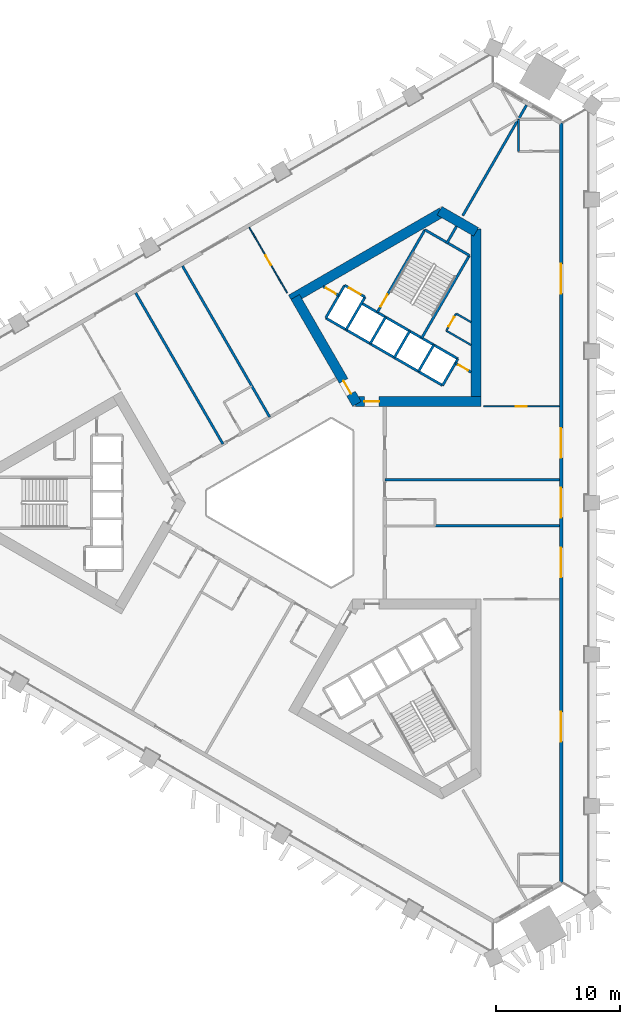
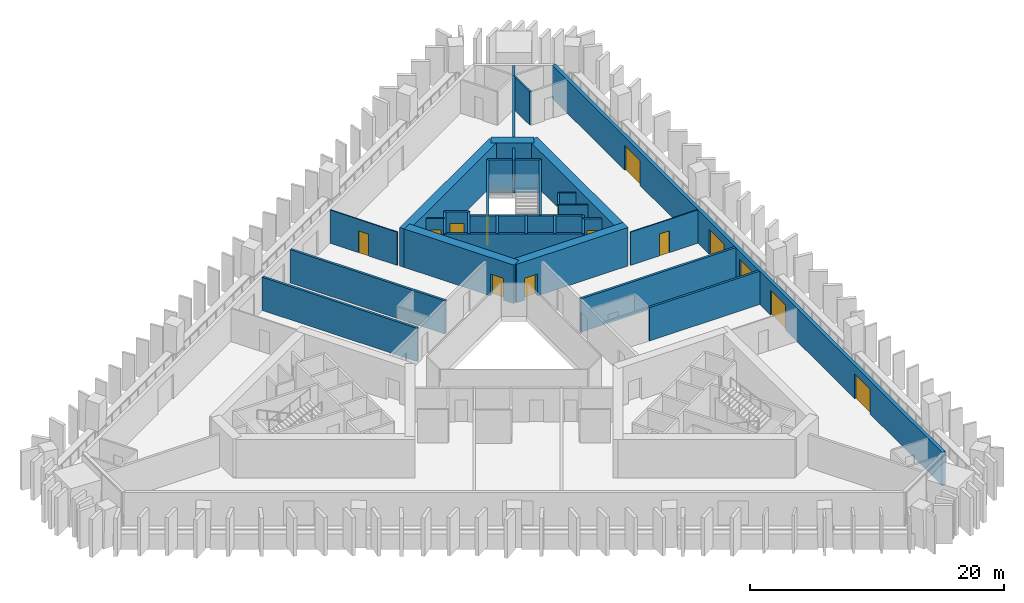
# One storey, part 5 of 10: 32 walls, 14 doors, 14 openings.
"""IFC4 building model written with IfcOpenShell, lengths in metres."""

from ifc_helpers import new_model, si_unit, direction, frame, frame_2d, origin, place, context, subcontext, project, spatial, rectangle, extrude, material, layer, layer_set, type_object, element, fill, save


model = new_model("IFC4")

# Units and contexts
model_context = context("Model", 3, precision=1e-05, world=origin(), true_north=direction((0.0, 1.0)))
body_context = subcontext(model_context, "Body", "Model", "MODEL_VIEW")
ifc_project = project(units=[si_unit("LENGTHUNIT", "METRE"), si_unit("AREAUNIT", "SQUARE_METRE"), si_unit("VOLUMEUNIT", "CUBIC_METRE"), si_unit("PLANEANGLEUNIT", "RADIAN"), si_unit("MASSUNIT", "GRAM", prefix="KILO")], contexts=[model_context])

# Site, building, storey
site_placement = place(None, origin())
site = spatial("IfcSite", under=ifc_project, at=site_placement, CompositionType="ELEMENT")
building_placement = place(site_placement, origin())
building = spatial("IfcBuilding", under=site, at=building_placement, Name="Jabali Bay Hotel Tower and Convention Centre", CompositionType="ELEMENT")
storey_placement = place(building_placement, frame((0.0, 0.0, 37.39990234375)))
storey = spatial("IfcBuildingStorey", under=building, at=storey_placement, Name="L07", CompositionType="ELEMENT", Elevation=37.39990234375)

# Wall
ifc_material_1 = material(Name="Concrete C40", Category="concrete")
ifc_layer_1 = layer(ifc_material_1, 0.199951171875)
ifc_layer_set_1 = layer_set([ifc_layer_1], Name="Concrete C40")
wall_type_1 = type_object("IfcWallType", Name="Core partition wall 200", PredefinedType="PARTITIONING", material=ifc_layer_set_1)
wall_1_placement = place(storey_placement, frame((87.090087890625, 100.9404296875, 0.0), z_axis=(0.0, 0.0, 1.0), x_axis=(0.499956811548, 0.866050337213, 0.0)))
element("IfcWall", 1, at=wall_1_placement, inside=storey, type_object=wall_type_1, Name="Core wall 1.5 L07", PredefinedType="PARTITIONING", context=body_context, shape_type="SweptSolid", body=[
    extrude(rectangle(XDim=1.623291015625, YDim=0.199951171875, at=frame_2d((0.8115234375, 0.0))), origin(), (0.0, 0.0, 1.0), 3.2001953125),
])

# Wall, opening, door
wall_2_placement = place(storey_placement, frame((89.080078125, 90.553955078125, 0.0), z_axis=(0.0, 0.0, 1.0), x_axis=(-0.866022048785, 0.500005810984, 0.0)))
wall_2 = element("IfcWall", 2, at=wall_2_placement, inside=storey, type_object=wall_type_1, Name="Core wall 1.11 L07", PredefinedType="PARTITIONING", context=body_context, shape_type="SweptSolid", body=[
    extrude(rectangle(XDim=1.466796875, YDim=0.199951171875, at=frame_2d((0.7333984375, 0.0))), origin(), (0.0, 0.0, 1.0), 3.2001953125),
])
opening_1_placement = place(wall_2_placement, frame((0.283447265625, 0.0, 0.0)))
opening_1 = element("IfcOpeningElement", 3, at=opening_1_placement, cuts=wall_2, Name="Opening D243", PredefinedType="OPENING", context=body_context, shape_type="SweptSolid", body=[
    extrude(rectangle(XDim=0.89990234375, YDim=2.10009765625, at=frame_2d((0.449951171875, 1.050048828125))), frame((0.0, 0.1103515625, 0.0), z_axis=(0.0, -1.0, 0.0), x_axis=(1.0, 0.0, 0.0)), (0.0, 0.0, 1.0), 0.220947265625),
])
ifc_material_2 = material(Name="Fire-rated steel door", Category="steel")
door_type_1 = type_object("IfcDoorType", Name="Vestibule fire door 900 x 2100", OperationType="NOTDEFINED", PredefinedType="NOTDEFINED", material=ifc_material_2)
door_1_placement = place(opening_1_placement, origin())
door_1 = element("IfcDoor", 4, at=door_1_placement, inside=storey, type_object=door_type_1, Name="Vestibule fire door D243", OperationType="SINGLE_SWING_LEFT", OverallHeight=2.10009765625, OverallWidth=0.89990234375, PredefinedType="NOTDEFINED", context=body_context, shape_type="SweptSolid", body=[
    extrude(rectangle(XDim=0.89990234375, YDim=2.10009765625, at=frame_2d((0.449951171875, 1.050048828125))), frame((0.0, 0.02490234375, 0.0), z_axis=(0.0, -1.0, 0.0), x_axis=(1.0, 0.0, 0.0)), (0.0, 0.0, 1.0), 0.050048828125),
])
fill(opening_1, door_1)

wall_3_placement = place(storey_placement, frame((78.380126953125, 96.754638671875, 0.0), z_axis=(0.0, 0.0, 1.0), x_axis=(-0.866003949776, 0.500037157592, 0.0)))
wall_3 = element("IfcWall", 5, at=wall_3_placement, inside=storey, type_object=wall_type_1, Name="Core wall 1.12 L07", PredefinedType="PARTITIONING", context=body_context, shape_type="SweptSolid", body=[
    extrude(rectangle(XDim=1.455078125, YDim=0.199951171875, at=frame_2d((0.7275390625, 0.0))), origin(), (0.0, 0.0, 1.0), 3.2001953125),
])
opening_2_placement = place(wall_3_placement, frame((0.277587890625, 0.0, 0.0)))
opening_2 = element("IfcOpeningElement", 6, at=opening_2_placement, cuts=wall_3, Name="Opening D242", PredefinedType="OPENING", context=body_context, shape_type="SweptSolid", body=[
    extrude(rectangle(XDim=0.89990234375, YDim=2.10009765625, at=frame_2d((0.449951171875, 1.050048828125))), frame((0.0, 0.1103515625, 0.0), z_axis=(0.0, -1.0, 0.0), x_axis=(1.0, 0.0, 0.0)), (0.0, 0.0, 1.0), 0.220947265625),
])
door_2_placement = place(opening_2_placement, origin())
door_2 = element("IfcDoor", 7, at=door_2_placement, inside=storey, type_object=door_type_1, Name="Vestibule fire door D242", OperationType="SINGLE_SWING_LEFT", OverallHeight=2.10009765625, OverallWidth=0.89990234375, PredefinedType="NOTDEFINED", context=body_context, shape_type="SweptSolid", body=[
    extrude(rectangle(XDim=0.89990234375, YDim=2.10009765625, at=frame_2d((0.449951171875, 1.050048828125))), frame((0.0, 0.02490234375, 0.0), z_axis=(0.0, -1.0, 0.0), x_axis=(1.0, 0.0, 0.0)), (0.0, 0.0, 1.0), 0.050048828125),
])
fill(opening_2, door_2)

ifc_material_3 = material(Name="Fire-rated board partition")
ifc_layer_2 = layer(ifc_material_3, 0.14990234375)
ifc_layer_set_2 = layer_set([ifc_layer_2], Name="Fire-rated board partition")
wall_type_2 = type_object("IfcWallType", Name="Core room partition 150", PredefinedType="PARTITIONING", material=ifc_layer_set_2)
wall_4_placement = place(storey_placement, frame((87.071044921875, 93.90771484375, 0.0), z_axis=(0.0, 0.0, 1.0), x_axis=(0.499995408039, 0.866028054938, 0.0)))
wall_4 = element("IfcWall", 8, at=wall_4_placement, inside=storey, type_object=wall_type_2, Name="Core wall 1.1 L07", PredefinedType="PARTITIONING", context=body_context, shape_type="SweptSolid", body=[
    extrude(rectangle(XDim=1.60009765625, YDim=0.14990234375, at=frame_2d((0.800048828125, 0.0))), origin(), (0.0, 0.0, 1.0), 3.2001953125),
])
opening_3_placement = place(wall_4_placement, frame((0.387451171875, 0.0, 0.0)))
opening_3 = element("IfcOpeningElement", 9, at=opening_3_placement, cuts=wall_4, Name="Opening D245", PredefinedType="OPENING", context=body_context, shape_type="SweptSolid", body=[
    extrude(rectangle(XDim=0.89990234375, YDim=2.10009765625, at=frame_2d((0.449951171875, 1.050048828125))), frame((0.0, 0.08544921875, 0.0), z_axis=(0.0, -1.0, 0.0), x_axis=(1.0, 0.0, 0.0)), (0.0, 0.0, 1.0), 0.1708984375),
])
door_type_2 = type_object("IfcDoorType", Name="Core room door 900 x 2100", OperationType="NOTDEFINED", PredefinedType="NOTDEFINED", material=ifc_material_2)
door_3_placement = place(opening_3_placement, origin())
door_3 = element("IfcDoor", 10, at=door_3_placement, inside=storey, type_object=door_type_2, Name="Core room door D245", OperationType="SINGLE_SWING_LEFT", OverallHeight=2.10009765625, OverallWidth=0.89990234375, PredefinedType="NOTDEFINED", context=body_context, shape_type="SweptSolid", body=[
    extrude(rectangle(XDim=0.89990234375, YDim=2.10009765625, at=frame_2d((0.449951171875, 1.050048828125))), frame((0.0, 0.02490234375, 0.0), z_axis=(0.0, -1.0, 0.0), x_axis=(1.0, 0.0, 0.0)), (0.0, 0.0, 1.0), 0.050048828125),
])
fill(opening_3, door_3)

# Walls
wall_5_placement = place(storey_placement, frame((89.080078125, 92.747802734375, 0.0), z_axis=(0.0, 0.0, 1.0), x_axis=(-0.866026103983, 0.499998787219, 0.0)))
element("IfcWall", 11, at=wall_5_placement, inside=storey, type_object=wall_type_2, Name="Core wall 1.15 L07", PredefinedType="PARTITIONING", context=body_context, shape_type="SweptSolid", body=[
    extrude(rectangle(XDim=2.31982421875, YDim=0.14990234375, at=frame_2d((1.159912109375, 0.0))), origin(), (0.0, 0.0, 1.0), 3.2001953125),
])
wall_6_placement = place(storey_placement, frame((89.080078125, 94.595458984375, 0.0), z_axis=(0.0, 0.0, 1.0), x_axis=(-0.866028321769, 0.499994945868, 0.0)))
element("IfcWall", 12, at=wall_6_placement, inside=storey, type_object=wall_type_2, Name="Core wall 1.16 L07", PredefinedType="PARTITIONING", context=body_context, shape_type="SweptSolid", body=[
    extrude(rectangle(XDim=1.39599609375, YDim=0.14990234375, at=frame_2d((0.697998046875, 0.0))), origin(), (0.0, 0.0, 1.0), 3.2001953125),
])
ifc_layer_3 = layer(ifc_material_1, 0.199951171875)
ifc_layer_set_3 = layer_set([ifc_layer_3], Name="Concrete C40")
wall_type_3 = type_object("IfcWallType", Name="Core stair wall 200", PredefinedType="SOLIDWALL", material=ifc_layer_set_3)
for number, where, z_axis, x_axis, name in (
    (13, (86.769775390625, 89.48583984375, 0.0), (0.0, 0.0, 1.0), (0.499961042966, 0.86604789447, 0.0), "Core wall 1.0 L07"),
    (14, (84.8212890625, 90.61083984375, 0.0), (0.0, 0.0, 1.0), (0.499961042966, 0.86604789447, 0.0), "Core wall 1.2 L07"),
):
    element("IfcWall", number, at=place(storey_placement, frame(where, z_axis=z_axis, x_axis=x_axis)), inside=storey, type_object=wall_type_3, Name=name, PredefinedType="SOLIDWALL", context=body_context, shape_type="SweptSolid", body=[
        extrude(rectangle(XDim=2.480224609375, YDim=0.199951171875, at=frame_2d((1.240234375, 0.0))), origin(), (0.0, 0.0, 1.0), 3.2001953125),
    ])
wall_7_placement = place(storey_placement, frame((85.0869140625, 93.3212890625, 0.0), z_axis=(0.0, 0.0, 1.0), x_axis=(0.500019787375, 0.866013979237, 0.0)))
element("IfcWall", 15, at=wall_7_placement, inside=storey, type_object=wall_type_3, Name="Core wall 1.3 L07", PredefinedType="SOLIDWALL", context=body_context, shape_type="SweptSolid", body=[
    extrude(rectangle(XDim=7.699951171875, YDim=0.199951171875, at=frame_2d((3.85009765625, 0.0))), origin(), (0.0, 0.0, 1.0), 3.2001953125),
])
for number, where, z_axis, x_axis, name in (
    (16, (82.872802734375, 91.73583984375, 0.0), (0.0, 0.0, 1.0), (0.499961042966, 0.86604789447, 0.0), "Core wall 1.4 L07"),
    (17, (80.924072265625, 92.86083984375, 0.0), (0.0, 0.0, 1.0), (0.499961042966, 0.86604789447, 0.0), "Core wall 1.6 L07"),
):
    element("IfcWall", number, at=place(storey_placement, frame(where, z_axis=z_axis, x_axis=x_axis)), inside=storey, type_object=wall_type_3, Name=name, PredefinedType="SOLIDWALL", context=body_context, shape_type="SweptSolid", body=[
        extrude(rectangle(XDim=2.480224609375, YDim=0.199951171875, at=frame_2d((1.240234375, 0.0))), origin(), (0.0, 0.0, 1.0), 3.2001953125),
    ])

# Wall, opening, door
wall_8_placement = place(storey_placement, frame((81.492919921875, 95.396240234375, 0.0), z_axis=(0.0, 0.0, 1.0), x_axis=(0.500006057782, 0.866021906294, 0.0)))
wall_8 = element("IfcWall", 18, at=wall_8_placement, inside=storey, type_object=wall_type_3, Name="Core wall 1.7 L07", PredefinedType="SOLIDWALL", context=body_context, shape_type="SweptSolid", body=[
    extrude(rectangle(XDim=7.7001953125, YDim=0.199951171875, at=frame_2d((3.85009765625, 0.0))), origin(), (0.0, 0.0, 1.0), 3.2001953125),
])
opening_4_placement = place(wall_8_placement, frame((0.550048828125, 0.0, 0.0)))
opening_4 = element("IfcOpeningElement", 19, at=opening_4_placement, cuts=wall_8, Name="Opening D244", PredefinedType="OPENING", context=body_context, shape_type="SweptSolid", body=[
    extrude(rectangle(XDim=1.10009765625, YDim=2.10009765625, at=frame_2d((0.550048828125, 1.050048828125))), frame((0.0, 0.1103515625, 0.0), z_axis=(0.0, -1.0, 0.0), x_axis=(1.0, 0.0, 0.0)), (0.0, 0.0, 1.0), 0.220947265625),
])
door_type_3 = type_object("IfcDoorType", Name="Stair fire door 1100 x 2100", OperationType="NOTDEFINED", PredefinedType="NOTDEFINED", material=ifc_material_2)
door_4_placement = place(opening_4_placement, origin())
door_4 = element("IfcDoor", 20, at=door_4_placement, inside=storey, type_object=door_type_3, Name="Stair fire door D244", OperationType="SINGLE_SWING_RIGHT", OverallHeight=2.10009765625, OverallWidth=1.10009765625, PredefinedType="NOTDEFINED", context=body_context, shape_type="SweptSolid", body=[
    extrude(rectangle(XDim=1.10009765625, YDim=2.10009765625, at=frame_2d((0.550048828125, 1.050048828125))), frame((0.0, 0.02490234375, 0.0), z_axis=(0.0, -1.0, 0.0), x_axis=(1.0, 0.0, 0.0)), (0.0, 0.0, 1.0), 0.050048828125),
])
fill(opening_4, door_4)

# Walls
for number, where, z_axis, x_axis, name in (
    (21, (78.9755859375, 93.98583984375, 0.0), (0.0, 0.0, 1.0), (0.499944174705, 0.866057632134, 0.0), "Core wall 1.8 L07"),
    (22, (77.330078125, 94.93603515625, 0.0), (0.0, 0.0, 1.0), (0.500038867431, 0.8660029625, 0.0), "Core wall 1.9 L07"),
):
    element("IfcWall", number, at=place(storey_placement, frame(where, z_axis=z_axis, x_axis=x_axis)), inside=storey, type_object=wall_type_3, Name=name, PredefinedType="SOLIDWALL", context=body_context, shape_type="SweptSolid", body=[
        extrude(rectangle(XDim=3.050048828125, YDim=0.199951171875, at=frame_2d((1.52490234375, 0.0))), origin(), (0.0, 0.0, 1.0), 3.2001953125),
    ])
wall_9_placement = place(storey_placement, frame((86.769775390625, 89.48583984375, 0.0), z_axis=(0.0, 0.0, 1.0), x_axis=(-0.86601811187, 0.500012629753, 0.0)))
element("IfcWall", 23, at=wall_9_placement, inside=storey, type_object=wall_type_3, Name="Core wall 1.10 L07", PredefinedType="SOLIDWALL", context=body_context, shape_type="SweptSolid", body=[
    extrude(rectangle(XDim=10.900146484375, YDim=0.199951171875, at=frame_2d((5.4501953125, 0.0))), origin(), (0.0, 0.0, 1.0), 3.2001953125),
])
wall_10_placement = place(storey_placement, frame((88.009765625, 91.6337890625, 0.0), z_axis=(0.0, 0.0, 1.0), x_axis=(-0.866024315419, 0.5000018851, 0.0)))
element("IfcWall", 24, at=wall_10_placement, inside=storey, type_object=wall_type_3, Name="Core wall 1.13 L07", PredefinedType="SOLIDWALL", context=body_context, shape_type="SweptSolid", body=[
    extrude(rectangle(XDim=9.0, YDim=0.199951171875, at=frame_2d((4.5, 0.0))), origin(), (0.0, 0.0, 1.0), 3.2001953125),
])

# Wall, opening, door
wall_11_placement = place(storey_placement, frame((80.50048828125, 96.62744140625, 0.0), z_axis=(0.0, 0.0, 1.0), x_axis=(-0.86601224135, 0.500022797313, 0.0)))
wall_11 = element("IfcWall", 25, at=wall_11_placement, inside=storey, type_object=wall_type_3, Name="Core wall 1.14 L07", PredefinedType="SOLIDWALL", context=body_context, shape_type="SweptSolid", body=[
    extrude(rectangle(XDim=1.89990234375, YDim=0.199951171875, at=frame_2d((0.949951171875, 0.0))), origin(), (0.0, 0.0, 1.0), 3.2001953125),
])
opening_5_placement = place(wall_11_placement, frame((0.39990234375, 0.0, 0.0)))
opening_5 = element("IfcOpeningElement", 26, at=opening_5_placement, cuts=wall_11, Name="Opening LD10-L07", PredefinedType="OPENING", context=body_context, shape_type="SweptSolid", body=[
    extrude(rectangle(XDim=1.10009765625, YDim=2.10009765625, at=frame_2d((0.550048828125, 1.050048828125))), frame((0.0, 0.1103515625, 0.0), z_axis=(0.0, -1.0, 0.0), x_axis=(1.0, 0.0, 0.0)), (0.0, 0.0, 1.0), 0.220947265625),
])
ifc_material_4 = material(Name="Stainless steel landing door", Category="steel")
door_type_4 = type_object("IfcDoorType", Name="Landing door 1100 x 2100", OperationType="NOTDEFINED", PredefinedType="NOTDEFINED", material=ifc_material_4)
door_5_placement = place(opening_5_placement, origin())
door_5 = element("IfcDoor", 27, at=door_5_placement, inside=storey, type_object=door_type_4, Name="Landing doors LD10-L07", OperationType="SLIDING_TO_RIGHT", OverallHeight=2.10009765625, OverallWidth=1.10009765625, PredefinedType="NOTDEFINED", context=body_context, shape_type="SweptSolid", body=[
    extrude(rectangle(XDim=1.10009765625, YDim=2.10009765625, at=frame_2d((0.550048828125, 1.050048828125))), frame((0.0, 0.02490234375, 0.0), z_axis=(0.0, -1.0, 0.0), x_axis=(1.0, 0.0, 0.0)), (0.0, 0.0, 1.0), 0.050048828125),
])
fill(opening_5, door_5)

# Wall
wall_12_placement = place(storey_placement, frame((88.93701171875, 99.989501953125, 0.0), z_axis=(0.0, 0.0, 1.0), x_axis=(-0.866004344652, 0.500036473714, 0.0)))
element("IfcWall", 28, at=wall_12_placement, inside=storey, type_object=wall_type_3, Name="Core wall 1.17 L07", PredefinedType="SOLIDWALL", context=body_context, shape_type="SweptSolid", body=[
    extrude(rectangle(XDim=4.150146484375, YDim=0.199951171875, at=frame_2d((2.0751953125, 0.0))), origin(), (0.0, 0.0, 1.0), 3.2001953125),
])

# Wall, opening, door
ifc_material_5 = material(Name="Concrete C60", Category="concrete")
ifc_layer_4 = layer(ifc_material_5, 0.800048828125)
ifc_layer_set_4 = layer_set([ifc_layer_4], Name="Concrete C60")
wall_type_4 = type_object("IfcWallType", Name="Core wall 800", PredefinedType="SHEAR", material=ifc_layer_set_4)
wall_13_placement = place(storey_placement, frame((79.73095703125, 88.1943359375, 0.0), z_axis=(0.0, 0.0, 1.0), x_axis=(1.0, 0.0, 0.0)))
wall_13 = element("IfcWall", 29, at=wall_13_placement, inside=storey, type_object=wall_type_4, Name="Core wall 2.1 L07", PredefinedType="SHEAR", context=body_context, shape_type="SweptSolid", body=[
    extrude(rectangle(XDim=10.14892578125, YDim=0.800048828125, at=frame_2d((5.074462890625, 0.0))), origin(), (0.0, 0.0, 1.0), 3.7001953125),
])
opening_6_placement = place(wall_13_placement, frame((0.718994140625, 0.0, 0.0)))
opening_6 = element("IfcOpeningElement", 30, at=opening_6_placement, cuts=wall_13, Name="Opening D240", PredefinedType="OPENING", context=body_context, shape_type="SweptSolid", body=[
    extrude(rectangle(XDim=1.199951171875, YDim=2.10009765625, at=frame_2d((0.60009765625, 1.050048828125))), frame((0.0, 0.41064453125, 0.0), z_axis=(0.0, -1.0, 0.0), x_axis=(1.0, 0.0, 0.0)), (0.0, 0.0, 1.0), 0.821044921875),
])
door_type_5 = type_object("IfcDoorType", Name="Corridor end fire door 1200 x 2100", OperationType="NOTDEFINED", PredefinedType="NOTDEFINED", material=ifc_material_2)
door_6_placement = place(opening_6_placement, origin())
door_6 = element("IfcDoor", 31, at=door_6_placement, inside=storey, type_object=door_type_5, Name="Corridor end fire door D240", OperationType="SINGLE_SWING_RIGHT", OverallHeight=2.10009765625, OverallWidth=1.199951171875, PredefinedType="NOTDEFINED", context=body_context, shape_type="SweptSolid", body=[
    extrude(rectangle(XDim=1.199951171875, YDim=2.10009765625, at=frame_2d((0.60009765625, 1.050048828125))), frame((0.0, 0.02490234375, 0.0), z_axis=(0.0, -1.0, 0.0), x_axis=(1.0, 0.0, 0.0)), (0.0, 0.0, 1.0), 0.050048828125),
])
fill(opening_6, door_6)

# Walls
wall_14_placement = place(storey_placement, frame((89.47998046875, 88.1943359375, 0.0), z_axis=(0.0, 0.0, 1.0), x_axis=(0.0, 1.0, 0.0)))
element("IfcWall", 32, at=wall_14_placement, inside=storey, type_object=wall_type_4, Name="Core wall 2.2 L07", PredefinedType="SHEAR", context=body_context, shape_type="SweptSolid", body=[
    extrude(rectangle(XDim=13.933349609375, YDim=0.800048828125, at=frame_2d((6.966796875, 0.0))), origin(), (0.0, 0.0, 1.0), 3.7001953125),
])
wall_15_placement = place(storey_placement, frame((89.47998046875, 101.896728515625, 0.0), z_axis=(0.0, 0.0, 1.0), x_axis=(-0.866034355626, 0.499984494636, 0.0)))
element("IfcWall", 33, at=wall_15_placement, inside=storey, type_object=wall_type_4, Name="Core wall 2.3 L07", PredefinedType="SHEAR", context=body_context, shape_type="SweptSolid", body=[
    extrude(rectangle(XDim=3.4140625, YDim=0.800048828125, at=frame_2d((1.70703125, 0.0))), origin(), (0.0, 0.0, 1.0), 3.7001953125),
])
wall_16_placement = place(storey_placement, frame((86.72314453125, 103.48828125, 0.0), z_axis=(0.0, 0.0, 1.0), x_axis=(-0.866032504327, -0.499987701298, 0.0)))
element("IfcWall", 34, at=wall_16_placement, inside=storey, type_object=wall_type_4, Name="Core wall 2.4 L07", PredefinedType="SHEAR", context=body_context, shape_type="SweptSolid", body=[
    extrude(rectangle(XDim=14.102294921875, YDim=0.800048828125, at=frame_2d((7.05126953125, 0.0))), origin(), (0.0, 0.0, 1.0), 3.7001953125),
])

# Wall, opening, door
wall_17_placement = place(storey_placement, frame((74.8564453125, 96.63720703125, 0.0), z_axis=(0.0, 0.0, 1.0), x_axis=(0.499993500917, -0.866029155999, 0.0)))
wall_17 = element("IfcWall", 35, at=wall_17_placement, inside=storey, type_object=wall_type_4, Name="Core wall 2.5 L07", PredefinedType="SHEAR", context=body_context, shape_type="SweptSolid", body=[
    extrude(rectangle(XDim=9.980224609375, YDim=0.800048828125, at=frame_2d((4.990234375, 0.0))), origin(), (0.0, 0.0, 1.0), 3.7001953125),
])
opening_7_placement = place(wall_17_placement, frame((7.830078125, 0.0, 0.0)))
opening_7 = element("IfcOpeningElement", 36, at=opening_7_placement, cuts=wall_17, Name="Opening D241", PredefinedType="OPENING", context=body_context, shape_type="SweptSolid", body=[
    extrude(rectangle(XDim=1.199951171875, YDim=2.10009765625, at=frame_2d((0.60009765625, 1.050048828125))), frame((0.0, 0.41064453125, 0.0), z_axis=(0.0, -1.0, 0.0), x_axis=(1.0, 0.0, 0.0)), (0.0, 0.0, 1.0), 0.821044921875),
])
door_7_placement = place(opening_7_placement, origin())
door_7 = element("IfcDoor", 37, at=door_7_placement, inside=storey, type_object=door_type_5, Name="Corridor end fire door D241", OperationType="SINGLE_SWING_LEFT", OverallHeight=2.10009765625, OverallWidth=1.199951171875, PredefinedType="NOTDEFINED", context=body_context, shape_type="SweptSolid", body=[
    extrude(rectangle(XDim=1.199951171875, YDim=2.10009765625, at=frame_2d((0.60009765625, 1.050048828125))), frame((0.0, 0.02490234375, 0.0), z_axis=(0.0, -1.0, 0.0), x_axis=(1.0, 0.0, 0.0)), (0.0, 0.0, 1.0), 0.050048828125),
])
fill(opening_7, door_7)

# Wall, openings, doors
ifc_layer_5 = layer(ifc_material_1, 0.300048828125)
ifc_layer_set_5 = layer_set([ifc_layer_5], Name="Concrete C40")
wall_type_5 = type_object("IfcWallType", Name="External wall 300", PredefinedType="SOLIDWALL", material=ifc_layer_set_5)
wall_18_placement = place(storey_placement, frame((96.3505859375, 110.697509765625, 0.0), z_axis=(0.0, 0.0, 1.0), x_axis=(0.0, -1.0, 0.0)))
wall_18 = element("IfcWall", 38, at=wall_18_placement, inside=storey, type_object=wall_type_5, Name="External wall east face L07", PredefinedType="SOLIDWALL", context=body_context, shape_type="SweptSolid", body=[
    extrude(rectangle(XDim=61.39501953125, YDim=0.300048828125, at=frame_2d((30.697509765625, 0.0))), origin(), (0.0, 0.0, 1.0), 3.2001953125),
])
opening_8_placement = place(wall_18_placement, frame((29.49755859375, 0.0, 0.0)))
opening_8 = element("IfcOpeningElement", 39, at=opening_8_placement, cuts=wall_18, Name="Opening SD1", PredefinedType="OPENING", context=body_context, shape_type="SweptSolid", body=[
    extrude(rectangle(XDim=2.39990234375, YDim=2.39990234375, at=frame_2d((1.199951171875, 1.199951171875))), frame((0.0, 0.16064453125, 0.0), z_axis=(0.0, -1.0, 0.0), x_axis=(1.0, 0.0, 0.0)), (0.0, 0.0, 1.0), 0.321044921875),
])
opening_9_placement = place(wall_18_placement, frame((34.329833984375, 0.0, 0.0)))
opening_9 = element("IfcOpeningElement", 40, at=opening_9_placement, cuts=wall_18, Name="Opening SD1", PredefinedType="OPENING", context=body_context, shape_type="SweptSolid", body=[
    extrude(rectangle(XDim=2.39990234375, YDim=2.39990234375, at=frame_2d((1.199951171875, 1.199951171875))), frame((0.0, 0.16064453125, 0.0), z_axis=(0.0, -1.0, 0.0), x_axis=(1.0, 0.0, 0.0)), (0.0, 0.0, 1.0), 0.321044921875),
])
opening_10_placement = place(wall_18_placement, frame((47.602783203125, 0.0, 0.0)))
opening_10 = element("IfcOpeningElement", 41, at=opening_10_placement, cuts=wall_18, Name="Opening SD1", PredefinedType="OPENING", context=body_context, shape_type="SweptSolid", body=[
    extrude(rectangle(XDim=2.39990234375, YDim=2.39990234375, at=frame_2d((1.199951171875, 1.199951171875))), frame((0.0, 0.16064453125, 0.0), z_axis=(0.0, -1.0, 0.0), x_axis=(1.0, 0.0, 0.0)), (0.0, 0.0, 1.0), 0.321044921875),
])
opening_11_placement = place(wall_18_placement, frame((24.6650390625, 0.0, 0.0)))
opening_11 = element("IfcOpeningElement", 42, at=opening_11_placement, cuts=wall_18, Name="Opening SD1", PredefinedType="OPENING", context=body_context, shape_type="SweptSolid", body=[
    extrude(rectangle(XDim=2.39990234375, YDim=2.39990234375, at=frame_2d((1.199951171875, 1.199951171875))), frame((0.0, 0.16064453125, 0.0), z_axis=(0.0, -1.0, 0.0), x_axis=(1.0, 0.0, 0.0)), (0.0, 0.0, 1.0), 0.321044921875),
])
opening_12_placement = place(wall_18_placement, frame((11.394287109375, 0.0, 0.0)))
opening_12 = element("IfcOpeningElement", 43, at=opening_12_placement, cuts=wall_18, Name="Opening SD1", PredefinedType="OPENING", context=body_context, shape_type="SweptSolid", body=[
    extrude(rectangle(XDim=2.39990234375, YDim=2.39990234375, at=frame_2d((1.199951171875, 1.199951171875))), frame((0.0, 0.16064453125, 0.0), z_axis=(0.0, -1.0, 0.0), x_axis=(1.0, 0.0, 0.0)), (0.0, 0.0, 1.0), 0.321044921875),
])
ifc_material_6 = material(Name="Glass", Category="glass")
door_type_6 = type_object("IfcDoorType", Name="Loggia sliding door 2400 x 2400", OperationType="NOTDEFINED", PredefinedType="NOTDEFINED", material=ifc_material_6)
door_8_placement = place(opening_8_placement, origin())
door_8 = element("IfcDoor", 44, at=door_8_placement, inside=storey, type_object=door_type_6, Name="Loggia sliding door 702", OperationType="SLIDING_TO_LEFT", OverallHeight=2.39990234375, OverallWidth=2.39990234375, PredefinedType="NOTDEFINED", context=body_context, shape_type="SweptSolid", body=[
    extrude(rectangle(XDim=2.39990234375, YDim=2.39990234375, at=frame_2d((1.199951171875, 1.199951171875))), frame((0.0, 0.02490234375, 0.0), z_axis=(0.0, -1.0, 0.0), x_axis=(1.0, 0.0, 0.0)), (0.0, 0.0, 1.0), 0.050048828125),
])
fill(opening_8, door_8)
door_9_placement = place(opening_9_placement, origin())
door_9 = element("IfcDoor", 45, at=door_9_placement, inside=storey, type_object=door_type_6, Name="Loggia sliding door 701", OperationType="SLIDING_TO_RIGHT", OverallHeight=2.39990234375, OverallWidth=2.39990234375, PredefinedType="NOTDEFINED", context=body_context, shape_type="SweptSolid", body=[
    extrude(rectangle(XDim=2.39990234375, YDim=2.39990234375, at=frame_2d((1.199951171875, 1.199951171875))), frame((0.0, 0.02490234375, 0.0), z_axis=(0.0, -1.0, 0.0), x_axis=(1.0, 0.0, 0.0)), (0.0, 0.0, 1.0), 0.050048828125),
])
fill(opening_9, door_9)
door_10_placement = place(opening_10_placement, origin())
door_10 = element("IfcDoor", 46, at=door_10_placement, inside=storey, type_object=door_type_6, Name="Loggia sliding door 701", OperationType="SLIDING_TO_LEFT", OverallHeight=2.39990234375, OverallWidth=2.39990234375, PredefinedType="NOTDEFINED", context=body_context, shape_type="SweptSolid", body=[
    extrude(rectangle(XDim=2.39990234375, YDim=2.39990234375, at=frame_2d((1.199951171875, 1.199951171875))), frame((0.0, 0.02490234375, 0.0), z_axis=(0.0, -1.0, 0.0), x_axis=(1.0, 0.0, 0.0)), (0.0, 0.0, 1.0), 0.050048828125),
])
fill(opening_10, door_10)
door_11_placement = place(opening_11_placement, origin())
door_11 = element("IfcDoor", 47, at=door_11_placement, inside=storey, type_object=door_type_6, Name="Loggia sliding door 703", OperationType="SLIDING_TO_RIGHT", OverallHeight=2.39990234375, OverallWidth=2.39990234375, PredefinedType="NOTDEFINED", context=body_context, shape_type="SweptSolid", body=[
    extrude(rectangle(XDim=2.39990234375, YDim=2.39990234375, at=frame_2d((1.199951171875, 1.199951171875))), frame((0.0, 0.02490234375, 0.0), z_axis=(0.0, -1.0, 0.0), x_axis=(1.0, 0.0, 0.0)), (0.0, 0.0, 1.0), 0.050048828125),
])
fill(opening_11, door_11)
door_12_placement = place(opening_12_placement, origin())
door_12 = element("IfcDoor", 48, at=door_12_placement, inside=storey, type_object=door_type_6, Name="Loggia sliding door 703", OperationType="SLIDING_TO_LEFT", OverallHeight=2.39990234375, OverallWidth=2.39990234375, PredefinedType="NOTDEFINED", context=body_context, shape_type="SweptSolid", body=[
    extrude(rectangle(XDim=2.39990234375, YDim=2.39990234375, at=frame_2d((1.199951171875, 1.199951171875))), frame((0.0, 0.02490234375, 0.0), z_axis=(0.0, -1.0, 0.0), x_axis=(1.0, 0.0, 0.0)), (0.0, 0.0, 1.0), 0.050048828125),
])
fill(opening_12, door_12)

# Wall, opening, door
ifc_material_7 = material(Name="Plasterboard on steel stud", Category="steel")
ifc_layer_6 = layer(ifc_material_7, 0.10009765625)
ifc_layer_set_6 = layer_set([ifc_layer_6], Name="Plasterboard on steel stud")
wall_type_6 = type_object("IfcWallType", Name="Partition 100 unit", PredefinedType="PARTITIONING", material=ifc_layer_set_6)
wall_19_placement = place(storey_placement, frame((96.20166015625, 87.794189453125, 0.0), z_axis=(0.0, 0.0, 1.0), x_axis=(-1.0, 0.0, 0.0)))
wall_19 = element("IfcWall", 49, at=wall_19_placement, inside=storey, type_object=wall_type_6, Name="Partition P02 L07 011", PredefinedType="PARTITIONING", context=body_context, shape_type="SweptSolid", body=[
    extrude(rectangle(XDim=6.12255859375, YDim=0.10009765625, at=frame_2d((3.061279296875, 0.0))), origin(), (0.0, 0.0, 1.0), 3.2001953125),
])
opening_13_placement = place(wall_19_placement, frame((2.611083984375, 0.0, 0.0)))
opening_13 = element("IfcOpeningElement", 50, at=opening_13_placement, cuts=wall_19, Name="Opening 0707", PredefinedType="OPENING", context=body_context, shape_type="SweptSolid", body=[
    extrude(rectangle(XDim=0.89990234375, YDim=2.10009765625, at=frame_2d((0.449951171875, 1.050048828125))), frame((0.0, 0.060546875, 0.0), z_axis=(0.0, -1.0, 0.0), x_axis=(1.0, 0.0, 0.0)), (0.0, 0.0, 1.0), 0.12109375),
])
ifc_material_8 = material(Name="Timber", Category="wood")
door_type_7 = type_object("IfcDoorType", Name="Internal door 900 x 2100", OperationType="NOTDEFINED", PredefinedType="NOTDEFINED", material=ifc_material_8)
door_13_placement = place(opening_13_placement, origin())
door_13 = element("IfcDoor", 51, at=door_13_placement, inside=storey, type_object=door_type_7, Name="Door 0707", OperationType="SINGLE_SWING_LEFT", OverallHeight=2.10009765625, OverallWidth=0.89990234375, PredefinedType="NOTDEFINED", context=body_context, shape_type="SweptSolid", body=[
    extrude(rectangle(XDim=0.89990234375, YDim=2.10009765625, at=frame_2d((0.449951171875, 1.050048828125))), frame((0.0, 0.02490234375, 0.0), z_axis=(0.0, -1.0, 0.0), x_axis=(1.0, 0.0, 0.0)), (0.0, 0.0, 1.0), 0.050048828125),
])
fill(opening_13, door_13)

wall_20_placement = place(storey_placement, frame((74.21044921875, 96.955810546875, 0.0), z_axis=(0.0, 0.0, 1.0), x_axis=(-0.499985929336, 0.866033527334, 0.0)))
wall_20 = element("IfcWall", 52, at=wall_20_placement, inside=storey, type_object=wall_type_6, Name="Partition P02 L07 016", PredefinedType="PARTITIONING", context=body_context, shape_type="SweptSolid", body=[
    extrude(rectangle(XDim=6.122802734375, YDim=0.10009765625, at=frame_2d((3.0615234375, 0.0))), origin(), (0.0, 0.0, 1.0), 3.2001953125),
])
opening_14_placement = place(wall_20_placement, frame((2.611083984375, 0.0, 0.0)))
opening_14 = element("IfcOpeningElement", 53, at=opening_14_placement, cuts=wall_20, Name="Opening 0710", PredefinedType="OPENING", context=body_context, shape_type="SweptSolid", body=[
    extrude(rectangle(XDim=0.89990234375, YDim=2.10009765625, at=frame_2d((0.449951171875, 1.050048828125))), frame((0.0, 0.060546875, 0.0), z_axis=(0.0, -1.0, 0.0), x_axis=(1.0, 0.0, 0.0)), (0.0, 0.0, 1.0), 0.12109375),
])
door_14_placement = place(opening_14_placement, origin())
door_14 = element("IfcDoor", 54, at=door_14_placement, inside=storey, type_object=door_type_7, Name="Door 0710", OperationType="SINGLE_SWING_LEFT", OverallHeight=2.10009765625, OverallWidth=0.89990234375, PredefinedType="NOTDEFINED", context=body_context, shape_type="SweptSolid", body=[
    extrude(rectangle(XDim=0.89990234375, YDim=2.10009765625, at=frame_2d((0.449951171875, 1.050048828125))), frame((0.0, 0.02490234375, 0.0), z_axis=(0.0, -1.0, 0.0), x_axis=(1.0, 0.0, 0.0)), (0.0, 0.0, 1.0), 0.050048828125),
])
fill(opening_14, door_14)

# Walls
ifc_layer_7 = layer(ifc_material_7, 0.14990234375)
ifc_layer_set_7 = layer_set([ifc_layer_7], Name="Plasterboard on steel stud")
wall_type_7 = type_object("IfcWallType", Name="Partition 150 wet", PredefinedType="PARTITIONING", material=ifc_layer_set_7)
wall_21_placement = place(storey_placement, frame((92.901611328125, 108.394287109375, 0.0), z_axis=(0.0, 0.0, 1.0), x_axis=(0.0, 1.0, 0.0)))
element("IfcWall", 55, at=wall_21_placement, inside=storey, type_object=wall_type_7, Name="Partition P03 L07 013", PredefinedType="PARTITIONING", context=body_context, shape_type="SweptSolid", body=[
    extrude(rectangle(XDim=2.599853515625, YDim=0.14990234375, at=frame_2d((1.2998046875, 0.0))), origin(), (0.0, 0.0, 1.0), 3.2001953125),
])
ifc_layer_8 = layer(ifc_material_7, 0.199951171875)
ifc_layer_set_8 = layer_set([ifc_layer_8], Name="Plasterboard on steel stud")
wall_type_8 = type_object("IfcWallType", Name="Partition 200 party", PredefinedType="PARTITIONING", material=ifc_layer_set_8)
wall_22_placement = place(storey_placement, frame((96.20166015625, 78.12939453125, 0.0), z_axis=(0.0, 0.0, 1.0), x_axis=(-1.0, 0.0, 0.0)))
element("IfcWall", 56, at=wall_22_placement, inside=storey, type_object=wall_type_8, Name="Partition P01 L07 002", PredefinedType="PARTITIONING", context=body_context, shape_type="SweptSolid", body=[
    extrude(rectangle(XDim=10.03857421875, YDim=0.199951171875, at=frame_2d((5.019287109375, 0.0))), origin(), (0.0, 0.0, 1.0), 3.2001953125),
])
wall_23_placement = place(storey_placement, frame((96.20166015625, 81.87060546875, 0.0), z_axis=(0.0, 0.0, 1.0), x_axis=(-1.0, 0.0, 0.0)))
element("IfcWall", 57, at=wall_23_placement, inside=storey, type_object=wall_type_8, Name="Partition P01 L07 010", PredefinedType="PARTITIONING", context=body_context, shape_type="SweptSolid", body=[
    extrude(rectangle(XDim=14.1015625, YDim=0.199951171875, at=frame_2d((7.05078125, 0.0))), origin(), (0.0, 0.0, 1.0), 3.2001953125),
])
wall_24_placement = place(storey_placement, frame((93.5556640625, 112.13916015625, 0.0), z_axis=(0.0, 0.0, 1.0), x_axis=(-0.499997833203, -0.866026654782, 0.0)))
element("IfcWall", 58, at=wall_24_placement, inside=storey, type_object=wall_type_8, Name="Partition P01 L07 015", PredefinedType="PARTITIONING", context=body_context, shape_type="SweptSolid", body=[
    extrude(rectangle(XDim=10.30908203125, YDim=0.199951171875, at=frame_2d((5.154541015625, 0.0))), origin(), (0.0, 0.0, 1.0), 3.2001953125),
])
for number, where, z_axis, x_axis, name in (
    (59, (65.749267578125, 99.140625, 0.0), (0.0, 0.0, 1.0), (0.499997206141, -0.866027016814, 0.0), "Partition P01 L07 017"),
    (60, (61.96923828125, 96.958251953125, 0.0), (0.0, 0.0, 1.0), (0.499997206141, -0.866027016814, 0.0), "Partition P01 L07 023"),
):
    element("IfcWall", number, at=place(storey_placement, frame(where, z_axis=z_axis, x_axis=x_axis)), inside=storey, type_object=wall_type_8, Name=name, PredefinedType="PARTITIONING", context=body_context, shape_type="SweptSolid", body=[
        extrude(rectangle(XDim=14.1015625, YDim=0.199951171875, at=frame_2d((7.05078125, 0.0))), origin(), (0.0, 0.0, 1.0), 3.2001953125),
    ])

save(model, "model.ifc")
